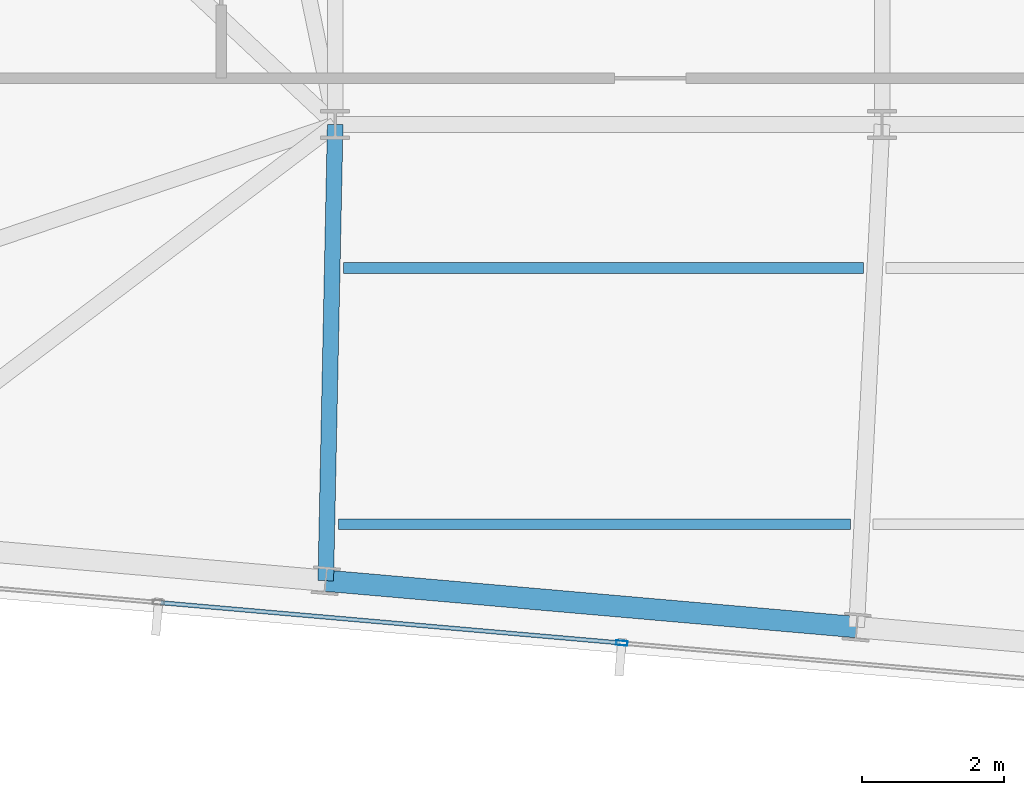
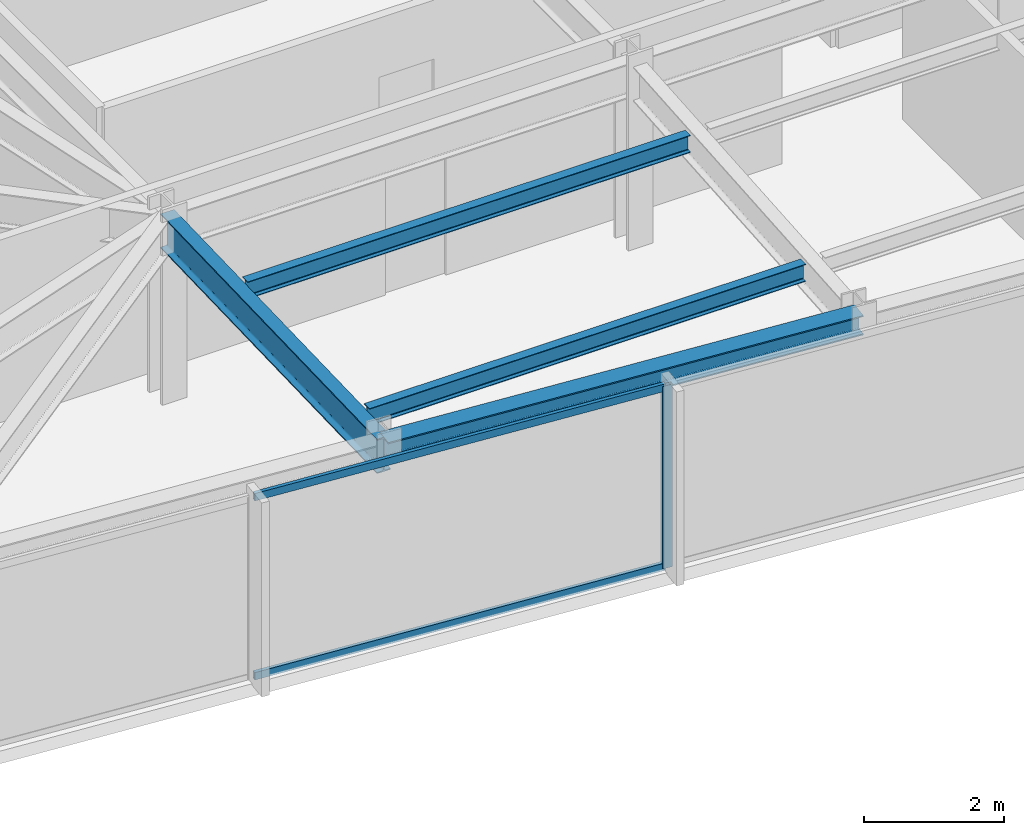
# One storey, part 6 of 32: 4 beams, 3 members, 1 element without a shape of its own.
"""IFC4 building model written with IfcOpenShell, lengths in metres."""

from ifc_helpers import new_model, si_unit, direction, frame, origin, origin_2d, place, context, subcontext, project, spatial, hollow_rectangle, i_section, extrude, material, material_profile, profile_set, type_object, element, aggregate, save


model = new_model("IFC4")

# Units and contexts
model_context = context("Model", 3, precision=1e-05, world=origin(), true_north=direction((0.0, 1.0)))
body_context = subcontext(model_context, "Body", "Model", "MODEL_VIEW")
ifc_project = project(units=[si_unit("LENGTHUNIT", "METRE"), si_unit("AREAUNIT", "SQUARE_METRE"), si_unit("VOLUMEUNIT", "CUBIC_METRE"), si_unit("PLANEANGLEUNIT", "RADIAN"), si_unit("MASSUNIT", "GRAM", prefix="KILO")], contexts=[model_context])

# Site, building, storey
site_placement = place(None, origin())
site = spatial("IfcSite", under=ifc_project, at=site_placement, CompositionType="ELEMENT")
building_placement = place(site_placement, origin())
building = spatial("IfcBuilding", under=site, at=building_placement, Name="Yelkora Congress Tower", CompositionType="ELEMENT")
storey_placement = place(building_placement, frame((0.0, 0.0, 262.5)))
storey = spatial("IfcBuildingStorey", under=building, at=storey_placement, Name="L73", CompositionType="ELEMENT", Elevation=262.5)

# Beams
ifc_material_1 = material(Name="Steel S355J2", Category="steel")
ifc_material_profile_1 = material_profile(ifc_material_1, i_section(OverallWidth=0.219970703125, OverallDepth=0.60009765625, WebThickness=0.011962890625, FlangeThickness=0.01904296875, FilletRadius=0.02392578125, at=origin_2d()), Name="IPE 600")
ifc_profile_set_1 = profile_set([ifc_material_profile_1], Name="Steel S355J2")
beam_type_1 = type_object("IfcBeamType", Name="BM-GIRD-IPE600", PredefinedType="BEAM", material=ifc_profile_set_1)
beam_1_placement = place(storey_placement, frame((22.90771484375, 18.793212890625, 2.8798828125), z_axis=(0.020649509667, 0.999786776143, 0.0), x_axis=(-0.999786776143, 0.020649509667, 0.0)))
element("IfcBeam", 1, at=beam_1_placement, inside=storey, type_object=beam_type_1, Name="L73 Primary Frame Girder S03", PredefinedType="BEAM", context=body_context, shape_type="SweptSolid", body=[
    extrude(i_section(OverallWidth=0.219970703125, OverallDepth=0.60009765625, WebThickness=0.011962890625, FlangeThickness=0.01904296875, FilletRadius=0.02392578125, at=origin_2d()), origin(), (0.0, 0.0, 1.0), 6.408203125),
])
ifc_material_profile_2 = material_profile(ifc_material_1, i_section(OverallWidth=0.14990234375, OverallDepth=0.300048828125, WebThickness=0.007080078125, FlangeThickness=0.0107421875, FilletRadius=0.014892578125, at=origin_2d()), Name="IPE 300")
ifc_profile_set_2 = profile_set([ifc_material_profile_2], Name="Steel S355J2")
beam_type_2 = type_object("IfcBeamType", Name="BM-JOIST-IPE300", PredefinedType="JOIST", material=ifc_profile_set_2)
beam_2_placement = place(storey_placement, frame((23.083984375, 19.58447265625, 3.030029296875), z_axis=(1.0, 0.0, 0.0), x_axis=(0.0, 1.0, 0.0)))
element("IfcBeam", 2, at=beam_2_placement, inside=storey, type_object=beam_type_2, Name="L73 Composite Floor Joist 1", PredefinedType="JOIST", context=body_context, shape_type="SweptSolid", body=[
    extrude(i_section(OverallWidth=0.14990234375, OverallDepth=0.300048828125, WebThickness=0.007080078125, FlangeThickness=0.0107421875, FilletRadius=0.014892578125, at=origin_2d()), origin(), (0.0, 0.0, 1.0), 7.191650390625),
])
beam_3_placement = place(storey_placement, frame((23.158447265625, 23.1845703125, 3.030029296875), z_axis=(1.0, 0.0, 0.0), x_axis=(0.0, 1.0, 0.0)))
element("IfcBeam", 3, at=beam_3_placement, inside=storey, type_object=beam_type_2, Name="L73 Composite Floor Joist 5", PredefinedType="JOIST", context=body_context, shape_type="SweptSolid", body=[
    extrude(i_section(OverallWidth=0.14990234375, OverallDepth=0.300048828125, WebThickness=0.007080078125, FlangeThickness=0.0107421875, FilletRadius=0.014892578125, at=origin_2d()), origin(), (0.0, 0.0, 1.0), 7.299560546875),
])
ifc_material_profile_3 = material_profile(ifc_material_1, i_section(OverallWidth=0.300048828125, OverallDepth=0.340087890625, WebThickness=0.011962890625, FlangeThickness=0.021484375, FilletRadius=0.027099609375, at=origin_2d()), Name="HEB 340")
ifc_profile_set_3 = profile_set([ifc_material_profile_3], Name="Steel S355J2")
beam_type_3 = type_object("IfcBeamType", Name="BM-SPAN-HEB340", PredefinedType="SPANDREL", material=ifc_profile_set_3)
beam_4_placement = place(storey_placement, frame((22.90771484375, 18.793212890625, 3.010009765625), z_axis=(0.99619601894, -0.087140644067, 0.0), x_axis=(0.087140644067, 0.99619601894, 0.0)))
element("IfcBeam", 4, at=beam_4_placement, inside=storey, type_object=beam_type_3, Name="L73 Perimeter Beam 3", PredefinedType="SPANDREL", context=body_context, shape_type="SweptSolid", body=[
    extrude(i_section(OverallWidth=0.300048828125, OverallDepth=0.340087890625, WebThickness=0.011962890625, FlangeThickness=0.021484375, FilletRadius=0.027099609375, at=origin_2d()), origin(), (0.0, 0.0, 1.0), 7.4833984375),
])

# Curtain wall, members
ifc_material_2 = material(Name="Anodised aluminium and insulated glass", Category="aluminium")
curtain_wall_type = type_object("IfcCurtainWallType", Name="CW-SYS-B5", PredefinedType="NOTDEFINED", material=ifc_material_2)
curtain_wall_placement = place(storey_placement, origin())
curtain_wall = element("IfcCurtainWall", 5, at=curtain_wall_placement, inside=storey, type_object=curtain_wall_type, Name="L73 Unitised Curtain Wall 20", PredefinedType="NOTDEFINED")
ifc_material_3 = material(Name="Anodised aluminium 6063-T6", Category="aluminium")
ifc_material_profile_4 = material_profile(ifc_material_3, hollow_rectangle(XDim=0.06494140625, YDim=0.159912109375, WallThickness=0.00390625, at=origin_2d()), Name="ALU 65x160x4")
ifc_profile_set_4 = profile_set([ifc_material_profile_4], Name="Anodised aluminium 6063-T6")
member_type_1 = type_object("IfcMemberType", Name="MEM-ML-B5", PredefinedType="MULLION", material=ifc_profile_set_4)
member_1_placement = place(storey_placement, frame((27.06494140625, 17.917724609375, 0.0), z_axis=(0.0, 0.0, 1.0), x_axis=(-0.087156829793, -0.996194602987, 0.0)))
member_1 = element("IfcMember", 6, at=member_1_placement, type_object=member_type_1, Name="CW-B5 mullion 5", PredefinedType="MULLION", context=body_context, shape_type="SweptSolid", body=[
    extrude(hollow_rectangle(XDim=0.06494140625, YDim=0.159912109375, WallThickness=0.00390625, at=origin_2d()), origin(), (0.0, 0.0, 1.0), 3.179931640625),
])
ifc_material_profile_5 = material_profile(ifc_material_3, hollow_rectangle(XDim=0.06005859375, YDim=0.1298828125, WallThickness=0.00390625, at=origin_2d()), Name="ALU 60x130x4")
ifc_profile_set_5 = profile_set([ifc_material_profile_5], Name="Anodised aluminium 6063-T6")
member_type_2 = type_object("IfcMemberType", Name="MEM-TR-B5", PredefinedType="USERDEFINED", material=ifc_profile_set_5)
member_2_placement = place(storey_placement, frame((27.032470703125, 17.920654296875, 0.030029296875), z_axis=(-0.996196257862, 0.087137912649, 0.0), x_axis=(-0.087137912649, -0.996196257862, 0.0)))
member_2 = element("IfcMember", 7, at=member_2_placement, type_object=member_type_2, Name="CW-B5 transom 5.1", ObjectType="TRANSOM", PredefinedType="USERDEFINED", context=body_context, shape_type="SweptSolid", body=[
    extrude(hollow_rectangle(XDim=0.06005859375, YDim=0.1298828125, WallThickness=0.00390625, at=origin_2d()), origin(), (0.0, 0.0, 1.0), 6.466552734375),
])
member_3_placement = place(storey_placement, frame((27.032470703125, 17.920654296875, 3.14990234375), z_axis=(-0.996196257862, 0.087137912649, 0.0), x_axis=(-0.087137912649, -0.996196257862, 0.0)))
member_3 = element("IfcMember", 8, at=member_3_placement, type_object=member_type_2, Name="CW-B5 transom 5.2", ObjectType="TRANSOM", PredefinedType="USERDEFINED", context=body_context, shape_type="SweptSolid", body=[
    extrude(hollow_rectangle(XDim=0.06005859375, YDim=0.1298828125, WallThickness=0.00390625, at=origin_2d()), origin(), (0.0, 0.0, 1.0), 6.466552734375),
])
aggregate(curtain_wall, [member_1, member_2, member_3])

save(model, "model.ifc")
